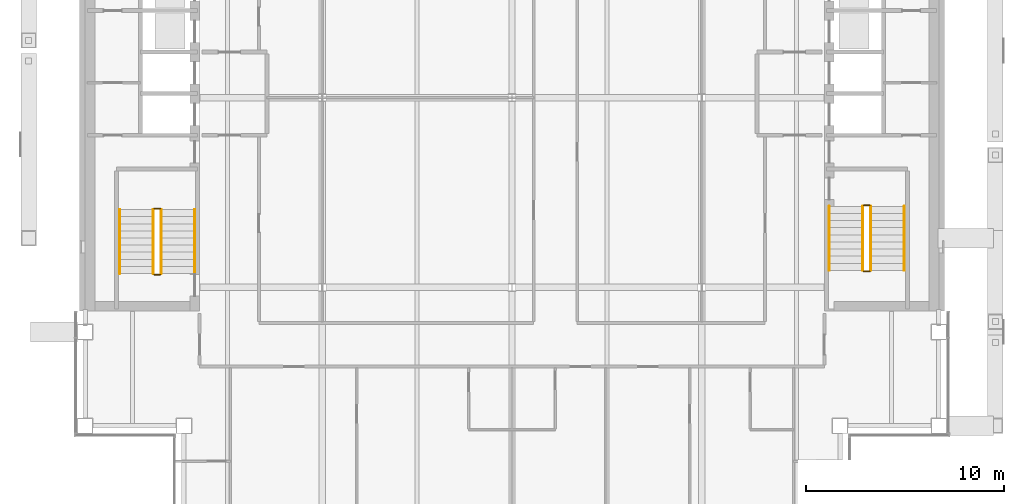
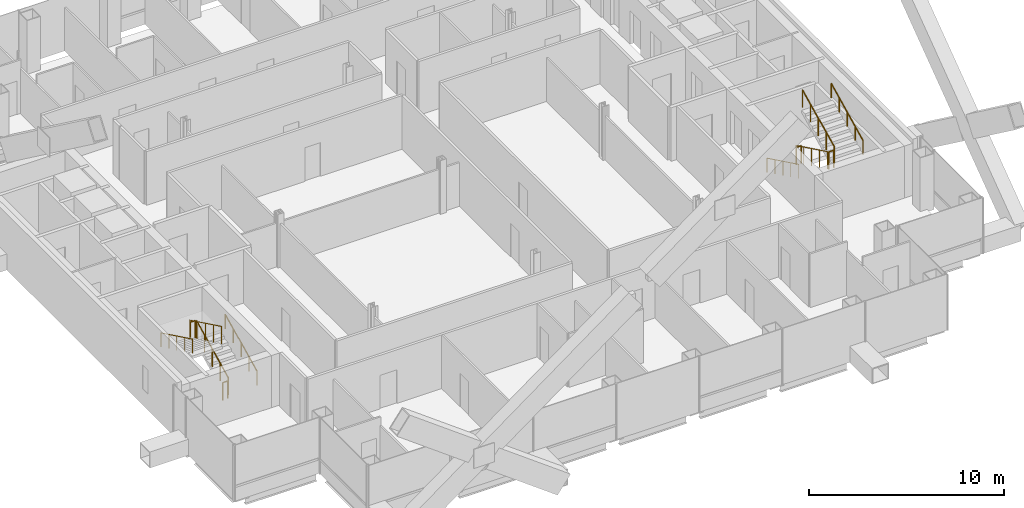
# One storey, part 17 of 18: 12 railings.
"""IFC4 building model written with IfcOpenShell, lengths in metres."""

from ifc_helpers import new_model, si_unit, direction, frame, origin, origin_2d, place, context, subcontext, project, spatial, circle, extrude, material, type_object, element, save


model = new_model("IFC4")

# Units and contexts
model_context = context("Model", 3, precision=1e-05, world=origin(), true_north=direction((0.0, 1.0)))
body_context = subcontext(model_context, "Body", "Model", "MODEL_VIEW")
ifc_project = project(units=[si_unit("LENGTHUNIT", "METRE"), si_unit("AREAUNIT", "SQUARE_METRE"), si_unit("VOLUMEUNIT", "CUBIC_METRE"), si_unit("PLANEANGLEUNIT", "RADIAN"), si_unit("MASSUNIT", "GRAM", prefix="KILO")], contexts=[model_context])

# Site, building, storey
site_placement = place(None, origin())
site = spatial("IfcSite", under=ifc_project, at=site_placement, CompositionType="ELEMENT")
building_placement = place(site_placement, origin())
building = spatial("IfcBuilding", under=site, at=building_placement, Name="Cobrizo Arcos Hotel Tower", CompositionType="ELEMENT")
storey_placement = place(building_placement, frame((0.0, 0.0, 165.5)))
storey = spatial("IfcBuildingStorey", under=building, at=storey_placement, Name="L42", CompositionType="ELEMENT", Elevation=165.5)

# Railings
ifc_material = material(Name="Stainless steel railing", Category="steel")
railing_type_1 = type_object("IfcRailingType", Name="Stair guard 1100", PredefinedType="GUARDRAIL", material=ifc_material)
railing_1_placement = place(storey_placement, frame((-17.75, -8.89990234375, 0.175048828125)))
element("IfcRailing", 1, at=railing_1_placement, inside=storey, type_object=railing_type_1, Name="L42 ST-W stair guard 1", PredefinedType="GUARDRAIL", context=body_context, shape_type="SweptSolid", body=[
    extrude(circle(Radius=0.02392578125, at=origin_2d()), frame((0.0, 0.0, 1.076171875), z_axis=(0.0, 0.899372665325, 0.437182809435), x_axis=(-1.0, 0.0, 0.0)), (0.0, 0.0, 1.0), 3.6025390625),
    extrude(circle(Radius=0.02099609375, at=origin_2d()), origin(), (0.0, 0.0, 1.0), 1.052001953125),
    extrude(circle(Radius=0.02099609375, at=origin_2d()), frame((0.0, 0.81005859375, 0.393798828125)), (0.0, 0.0, 1.0), 1.052001953125),
    extrude(circle(Radius=0.02099609375, at=origin_2d()), frame((0.0, 1.6201171875, 0.78759765625)), (0.0, 0.0, 1.0), 1.052001953125),
    extrude(circle(Radius=0.02099609375, at=origin_2d()), frame((0.0, 2.429931640625, 1.18115234375)), (0.0, 0.0, 1.0), 1.052001953125),
    extrude(circle(Radius=0.02099609375, at=origin_2d()), frame((0.0, 3.239990234375, 1.574951171875)), (0.0, 0.0, 1.0), 1.052001953125),
])
railing_2_placement = place(storey_placement, frame((-17.800048828125, -5.610107421875, 1.75)))
element("IfcRailing", 2, at=railing_2_placement, inside=storey, type_object=railing_type_1, Name="L42 ST-W stair guard 2", PredefinedType="GUARDRAIL", context=body_context, shape_type="SweptSolid", body=[
    extrude(circle(Radius=0.02392578125, at=origin_2d()), frame((0.0, 0.0, 1.076171875), z_axis=(-1.0, 0.0, 0.0), x_axis=(0.0, -1.0, 0.0)), (0.0, 0.0, 1.0), 0.300048828125),
    extrude(circle(Radius=0.02099609375, at=origin_2d()), origin(), (0.0, 0.0, 1.0), 1.052001953125),
    extrude(circle(Radius=0.02099609375, at=origin_2d()), frame((-0.300048828125, 0.0, 0.0)), (0.0, 0.0, 1.0), 1.052001953125),
])
railing_3_placement = place(storey_placement, frame((-18.14990234375, -5.659912109375, 1.925048828125)))
element("IfcRailing", 3, at=railing_3_placement, inside=storey, type_object=railing_type_1, Name="L42 ST-W stair guard 3", PredefinedType="GUARDRAIL", context=body_context, shape_type="SweptSolid", body=[
    extrude(circle(Radius=0.02392578125, at=origin_2d()), frame((0.0, 0.0, 1.076171875), z_axis=(0.0, -0.899372665325, 0.437182809435), x_axis=(1.0, 0.0, 0.0)), (0.0, 0.0, 1.0), 3.6025390625),
    extrude(circle(Radius=0.02099609375, at=origin_2d()), origin(), (0.0, 0.0, 1.0), 1.052001953125),
    extrude(circle(Radius=0.02099609375, at=origin_2d()), frame((0.0, -0.81005859375, 0.393798828125)), (0.0, 0.0, 1.0), 1.052001953125),
    extrude(circle(Radius=0.02099609375, at=origin_2d()), frame((0.0, -1.6201171875, 0.78759765625)), (0.0, 0.0, 1.0), 1.052001953125),
    extrude(circle(Radius=0.02099609375, at=origin_2d()), frame((0.0, -2.429931640625, 1.18115234375)), (0.0, 0.0, 1.0), 1.052001953125),
    extrude(circle(Radius=0.02099609375, at=origin_2d()), frame((0.0, -3.239990234375, 1.574951171875)), (0.0, 0.0, 1.0), 1.052001953125),
])
railing_4_placement = place(storey_placement, frame((-17.800048828125, -8.949951171875, 0.0)))
element("IfcRailing", 4, at=railing_4_placement, inside=storey, type_object=railing_type_1, Name="L42 ST-W stair guard 4", PredefinedType="GUARDRAIL", context=body_context, shape_type="SweptSolid", body=[
    extrude(circle(Radius=0.02392578125, at=origin_2d()), frame((0.0, 0.0, 1.076171875), z_axis=(-1.0, 0.0, 0.0), x_axis=(0.0, -1.0, 0.0)), (0.0, 0.0, 1.0), 0.300048828125),
    extrude(circle(Radius=0.02099609375, at=origin_2d()), origin(), (0.0, 0.0, 1.0), 1.052001953125),
    extrude(circle(Radius=0.02099609375, at=origin_2d()), frame((-0.300048828125, 0.0, 0.0)), (0.0, 0.0, 1.0), 1.052001953125),
])
railing_5_placement = place(storey_placement, frame((17.75, -5.5, 0.175048828125)))
element("IfcRailing", 5, at=railing_5_placement, inside=storey, type_object=railing_type_1, Name="L42 ST-E stair guard 1", PredefinedType="GUARDRAIL", context=body_context, shape_type="SweptSolid", body=[
    extrude(circle(Radius=0.02392578125, at=origin_2d()), frame((0.0, 0.0, 1.076171875), z_axis=(0.0, -0.899372665325, 0.437182809435), x_axis=(1.0, 0.0, 0.0)), (0.0, 0.0, 1.0), 3.6025390625),
    extrude(circle(Radius=0.02099609375, at=origin_2d()), origin(), (0.0, 0.0, 1.0), 1.052001953125),
    extrude(circle(Radius=0.02099609375, at=origin_2d()), frame((0.0, -0.81005859375, 0.393798828125)), (0.0, 0.0, 1.0), 1.052001953125),
    extrude(circle(Radius=0.02099609375, at=origin_2d()), frame((0.0, -1.6201171875, 0.78759765625)), (0.0, 0.0, 1.0), 1.052001953125),
    extrude(circle(Radius=0.02099609375, at=origin_2d()), frame((0.0, -2.429931640625, 1.18115234375)), (0.0, 0.0, 1.0), 1.052001953125),
    extrude(circle(Radius=0.02099609375, at=origin_2d()), frame((0.0, -3.239990234375, 1.574951171875)), (0.0, 0.0, 1.0), 1.052001953125),
])
railing_6_placement = place(storey_placement, frame((17.800048828125, -8.7900390625, 1.75)))
element("IfcRailing", 6, at=railing_6_placement, inside=storey, type_object=railing_type_1, Name="L42 ST-E stair guard 2", PredefinedType="GUARDRAIL", context=body_context, shape_type="SweptSolid", body=[
    extrude(circle(Radius=0.02392578125, at=origin_2d()), frame((0.0, 0.0, 1.076171875), z_axis=(1.0, 0.0, 0.0), x_axis=(0.0, 1.0, 0.0)), (0.0, 0.0, 1.0), 0.300048828125),
    extrude(circle(Radius=0.02099609375, at=origin_2d()), origin(), (0.0, 0.0, 1.0), 1.052001953125),
    extrude(circle(Radius=0.02099609375, at=origin_2d()), frame((0.300048828125, 0.0, 0.0)), (0.0, 0.0, 1.0), 1.052001953125),
])
railing_7_placement = place(storey_placement, frame((18.14990234375, -8.739990234375, 1.925048828125)))
element("IfcRailing", 7, at=railing_7_placement, inside=storey, type_object=railing_type_1, Name="L42 ST-E stair guard 3", PredefinedType="GUARDRAIL", context=body_context, shape_type="SweptSolid", body=[
    extrude(circle(Radius=0.02392578125, at=origin_2d()), frame((0.0, 0.0, 1.076171875), z_axis=(0.0, 0.899372665325, 0.437182809435), x_axis=(-1.0, 0.0, 0.0)), (0.0, 0.0, 1.0), 3.6025390625),
    extrude(circle(Radius=0.02099609375, at=origin_2d()), origin(), (0.0, 0.0, 1.0), 1.052001953125),
    extrude(circle(Radius=0.02099609375, at=origin_2d()), frame((0.0, 0.81005859375, 0.393798828125)), (0.0, 0.0, 1.0), 1.052001953125),
    extrude(circle(Radius=0.02099609375, at=origin_2d()), frame((0.0, 1.6201171875, 0.78759765625)), (0.0, 0.0, 1.0), 1.052001953125),
    extrude(circle(Radius=0.02099609375, at=origin_2d()), frame((0.0, 2.429931640625, 1.18115234375)), (0.0, 0.0, 1.0), 1.052001953125),
    extrude(circle(Radius=0.02099609375, at=origin_2d()), frame((0.0, 3.239990234375, 1.574951171875)), (0.0, 0.0, 1.0), 1.052001953125),
])
railing_8_placement = place(storey_placement, frame((17.800048828125, -5.449951171875, 0.0)))
element("IfcRailing", 8, at=railing_8_placement, inside=storey, type_object=railing_type_1, Name="L42 ST-E stair guard 4", PredefinedType="GUARDRAIL", context=body_context, shape_type="SweptSolid", body=[
    extrude(circle(Radius=0.02392578125, at=origin_2d()), frame((0.0, 0.0, 1.076171875), z_axis=(1.0, 0.0, 0.0), x_axis=(0.0, 1.0, 0.0)), (0.0, 0.0, 1.0), 0.300048828125),
    extrude(circle(Radius=0.02099609375, at=origin_2d()), origin(), (0.0, 0.0, 1.0), 1.052001953125),
    extrude(circle(Radius=0.02099609375, at=origin_2d()), frame((0.300048828125, 0.0, 0.0)), (0.0, 0.0, 1.0), 1.052001953125),
])
railing_type_2 = type_object("IfcRailingType", Name="Stair handrail", PredefinedType="HANDRAIL", material=ifc_material)
railing_9_placement = place(storey_placement, frame((-16.050048828125, -8.89990234375, 0.175048828125)))
element("IfcRailing", 9, at=railing_9_placement, inside=storey, type_object=railing_type_2, Name="L42 ST-W stair handrail 1", PredefinedType="HANDRAIL", context=body_context, shape_type="SweptSolid", body=[
    extrude(circle(Radius=0.02392578125, at=origin_2d()), frame((0.0, 0.0, 0.8759765625), z_axis=(0.0, 0.899372665325, 0.437182809435), x_axis=(-1.0, 0.0, 0.0)), (0.0, 0.0, 1.0), 3.6025390625),
    extrude(circle(Radius=0.02099609375, at=origin_2d()), origin(), (0.0, 0.0, 1.0), 0.851806640625),
    extrude(circle(Radius=0.02099609375, at=origin_2d()), frame((0.0, 0.81005859375, 0.393798828125)), (0.0, 0.0, 1.0), 0.851806640625),
    extrude(circle(Radius=0.02099609375, at=origin_2d()), frame((0.0, 1.6201171875, 0.78759765625)), (0.0, 0.0, 1.0), 0.851806640625),
    extrude(circle(Radius=0.02099609375, at=origin_2d()), frame((0.0, 2.429931640625, 1.18115234375)), (0.0, 0.0, 1.0), 0.851806640625),
    extrude(circle(Radius=0.02099609375, at=origin_2d()), frame((0.0, 3.239990234375, 1.574951171875)), (0.0, 0.0, 1.0), 0.851806640625),
])
for number, where, name in (
    (10, (-19.85009765625, -5.659912109375, 1.925048828125), "L42 ST-W stair handrail 2"),
    (11, (16.050048828125, -5.5, 0.175048828125), "L42 ST-E stair handrail 1"),
):
    element("IfcRailing", number, at=place(storey_placement, frame(where)), inside=storey, type_object=railing_type_2, Name=name, PredefinedType="HANDRAIL", context=body_context, shape_type="SweptSolid", body=[
        extrude(circle(Radius=0.02392578125, at=origin_2d()), frame((0.0, 0.0, 0.8759765625), z_axis=(0.0, -0.899372665325, 0.437182809435), x_axis=(1.0, 0.0, 0.0)), (0.0, 0.0, 1.0), 3.6025390625),
        extrude(circle(Radius=0.02099609375, at=origin_2d()), origin(), (0.0, 0.0, 1.0), 0.851806640625),
        extrude(circle(Radius=0.02099609375, at=origin_2d()), frame((0.0, -0.81005859375, 0.393798828125)), (0.0, 0.0, 1.0), 0.851806640625),
        extrude(circle(Radius=0.02099609375, at=origin_2d()), frame((0.0, -1.6201171875, 0.78759765625)), (0.0, 0.0, 1.0), 0.851806640625),
        extrude(circle(Radius=0.02099609375, at=origin_2d()), frame((0.0, -2.429931640625, 1.18115234375)), (0.0, 0.0, 1.0), 0.851806640625),
        extrude(circle(Radius=0.02099609375, at=origin_2d()), frame((0.0, -3.239990234375, 1.574951171875)), (0.0, 0.0, 1.0), 0.851806640625),
    ])
railing_10_placement = place(storey_placement, frame((19.85009765625, -8.739990234375, 1.925048828125)))
element("IfcRailing", 12, at=railing_10_placement, inside=storey, type_object=railing_type_2, Name="L42 ST-E stair handrail 2", PredefinedType="HANDRAIL", context=body_context, shape_type="SweptSolid", body=[
    extrude(circle(Radius=0.02392578125, at=origin_2d()), frame((0.0, 0.0, 0.8759765625), z_axis=(0.0, 0.899372665325, 0.437182809435), x_axis=(-1.0, 0.0, 0.0)), (0.0, 0.0, 1.0), 3.6025390625),
    extrude(circle(Radius=0.02099609375, at=origin_2d()), origin(), (0.0, 0.0, 1.0), 0.851806640625),
    extrude(circle(Radius=0.02099609375, at=origin_2d()), frame((0.0, 0.81005859375, 0.393798828125)), (0.0, 0.0, 1.0), 0.851806640625),
    extrude(circle(Radius=0.02099609375, at=origin_2d()), frame((0.0, 1.6201171875, 0.78759765625)), (0.0, 0.0, 1.0), 0.851806640625),
    extrude(circle(Radius=0.02099609375, at=origin_2d()), frame((0.0, 2.429931640625, 1.18115234375)), (0.0, 0.0, 1.0), 0.851806640625),
    extrude(circle(Radius=0.02099609375, at=origin_2d()), frame((0.0, 3.239990234375, 1.574951171875)), (0.0, 0.0, 1.0), 0.851806640625),
])

save(model, "model.ifc")
